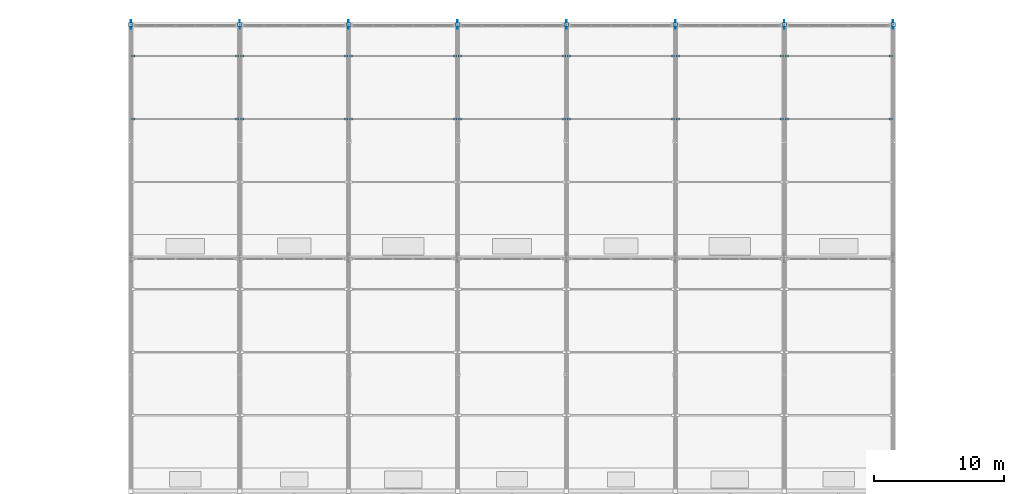
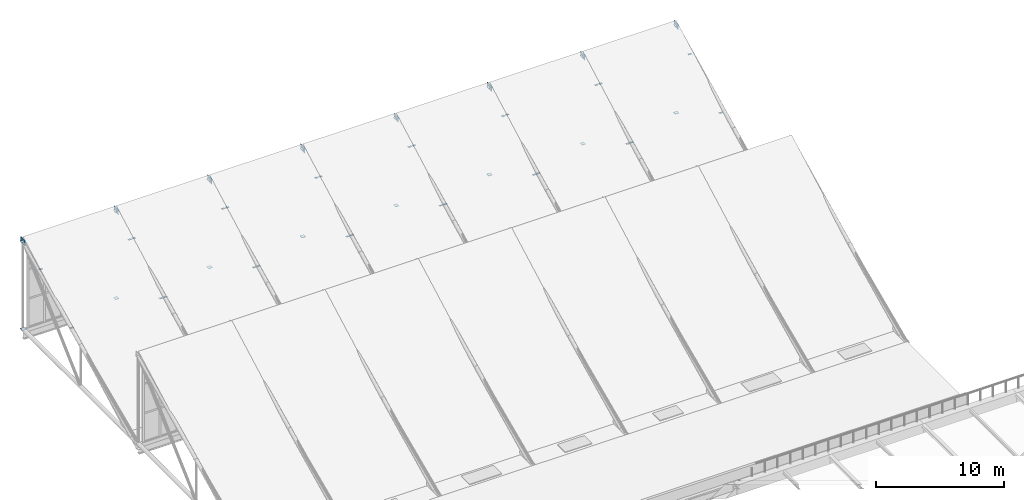
# One storey, part 36 of 38: 52 plates.
"""IFC4 building model written with IfcOpenShell, lengths in metres."""

from ifc_helpers import new_model, si_unit, direction, frame, origin, origin_2d, place, context, subcontext, project, spatial, rectangle, extrude, material, layer, layer_set, type_object, element, save


model = new_model("IFC4")

# Units and contexts
model_context = context("Model", 3, precision=1e-05, world=origin(), true_north=direction((0.0, 1.0)))
body_context = subcontext(model_context, "Body", "Model", "MODEL_VIEW")
ifc_project = project(units=[si_unit("LENGTHUNIT", "METRE"), si_unit("AREAUNIT", "SQUARE_METRE"), si_unit("VOLUMEUNIT", "CUBIC_METRE"), si_unit("PLANEANGLEUNIT", "RADIAN"), si_unit("MASSUNIT", "GRAM", prefix="KILO")], contexts=[model_context])

# Site, building, storey
site_placement = place(None, origin())
site = spatial("IfcSite", under=ifc_project, at=site_placement, CompositionType="ELEMENT")
building_placement = place(site_placement, origin())
building = spatial("IfcBuilding", under=site, at=building_placement, Name="Veltarok Museum of Natural Sciences", CompositionType="ELEMENT")
storey_placement = place(building_placement, frame((0.0, 0.0, 31.199951171875)))
storey = spatial("IfcBuildingStorey", under=building, at=storey_placement, Name="RF", CompositionType="ELEMENT", Elevation=31.199951171875)

# Plates
ifc_material = material(Name="Steel S355J2", Category="steel")
ifc_layer_1 = layer(ifc_material, 0.01611328125)
ifc_layer_set_1 = layer_set([ifc_layer_1], Name="Steel S355J2")
plate_type_1 = type_object("IfcPlateType", Name="Hollow End Closure Plate 260x170x16", PredefinedType="USERDEFINED", material=ifc_layer_set_1)
for number, where, z_axis, x_axis, name in (
    (1, (40.18408203125, 64.7099609375, -1.318359375), (0.0, 0.0, 1.0), (1.0, 0.0, 0.0), "End Cap Plate CP-180 304"),
    (2, (48.216064453125, 64.7099609375, -1.318359375), (0.0, 0.0, 1.0), (1.0, 0.0, 0.0), "End Cap Plate CP-180 305"),
    (3, (40.18408203125, 69.570068359375, 1.321533203125), (0.0, 0.0, 1.0), (1.0, 0.0, 0.0), "End Cap Plate CP-180 306"),
    (4, (48.216064453125, 69.570068359375, 1.321533203125), (0.0, 0.0, 1.0), (1.0, 0.0, 0.0), "End Cap Plate CP-180 307"),
    (5, (48.583984375, 64.7099609375, -1.318359375), (0.0, 0.0, 1.0), (1.0, 0.0, 0.0), "End Cap Plate CP-180 316"),
    (6, (56.615966796875, 64.7099609375, -1.318359375), (0.0, 0.0, 1.0), (1.0, 0.0, 0.0), "End Cap Plate CP-180 317"),
    (7, (48.583984375, 69.570068359375, 1.321533203125), (0.0, 0.0, 1.0), (1.0, 0.0, 0.0), "End Cap Plate CP-180 318"),
    (8, (56.615966796875, 69.570068359375, 1.321533203125), (0.0, 0.0, 1.0), (1.0, 0.0, 0.0), "End Cap Plate CP-180 319"),
    (9, (56.98388671875, 64.7099609375, -1.318359375), (0.0, 0.0, 1.0), (1.0, 0.0, 0.0), "End Cap Plate CP-180 328"),
    (10, (65.01611328125, 64.7099609375, -1.318359375), (0.0, 0.0, 1.0), (1.0, 0.0, 0.0), "End Cap Plate CP-180 329"),
    (11, (56.98388671875, 69.570068359375, 1.321533203125), (0.0, 0.0, 1.0), (1.0, 0.0, 0.0), "End Cap Plate CP-180 330"),
    (12, (65.01611328125, 69.570068359375, 1.321533203125), (0.0, 0.0, 1.0), (1.0, 0.0, 0.0), "End Cap Plate CP-180 331"),
    (13, (65.384033203125, 64.7099609375, -1.318359375), (0.0, 0.0, 1.0), (1.0, 0.0, 0.0), "End Cap Plate CP-180 340"),
    (14, (73.416015625, 64.7099609375, -1.318359375), (0.0, 0.0, 1.0), (1.0, 0.0, 0.0), "End Cap Plate CP-180 341"),
    (15, (65.384033203125, 69.570068359375, 1.321533203125), (0.0, 0.0, 1.0), (1.0, 0.0, 0.0), "End Cap Plate CP-180 342"),
    (16, (73.416015625, 69.570068359375, 1.321533203125), (0.0, 0.0, 1.0), (1.0, 0.0, 0.0), "End Cap Plate CP-180 343"),
    (17, (73.783935546875, 64.7099609375, -1.318359375), (0.0, 0.0, 1.0), (1.0, 0.0, 0.0), "End Cap Plate CP-180 352"),
    (18, (81.81591796875, 64.7099609375, -1.318359375), (0.0, 0.0, 1.0), (1.0, 0.0, 0.0), "End Cap Plate CP-180 353"),
    (19, (73.783935546875, 69.570068359375, 1.321533203125), (0.0, 0.0, 1.0), (1.0, 0.0, 0.0), "End Cap Plate CP-180 354"),
    (20, (81.81591796875, 69.570068359375, 1.321533203125), (0.0, 0.0, 1.0), (1.0, 0.0, 0.0), "End Cap Plate CP-180 355"),
    (21, (82.18408203125, 64.7099609375, -1.318359375), (0.0, 0.0, 1.0), (1.0, 0.0, 0.0), "End Cap Plate CP-180 364"),
    (22, (90.216064453125, 64.7099609375, -1.318359375), (0.0, 0.0, 1.0), (1.0, 0.0, 0.0), "End Cap Plate CP-180 365"),
    (23, (82.18408203125, 69.570068359375, 1.321533203125), (0.0, 0.0, 1.0), (1.0, 0.0, 0.0), "End Cap Plate CP-180 366"),
    (24, (90.216064453125, 69.570068359375, 1.321533203125), (0.0, 0.0, 1.0), (1.0, 0.0, 0.0), "End Cap Plate CP-180 367"),
    (25, (90.583984375, 64.7099609375, -1.318359375), (0.0, 0.0, 1.0), (1.0, 0.0, 0.0), "End Cap Plate CP-180 376"),
    (26, (98.615966796875, 64.7099609375, -1.318359375), (0.0, 0.0, 1.0), (1.0, 0.0, 0.0), "End Cap Plate CP-180 377"),
    (27, (90.583984375, 69.570068359375, 1.321533203125), (0.0, 0.0, 1.0), (1.0, 0.0, 0.0), "End Cap Plate CP-180 378"),
    (28, (98.615966796875, 69.570068359375, 1.321533203125), (0.0, 0.0, 1.0), (1.0, 0.0, 0.0), "End Cap Plate CP-180 379"),
):
    element("IfcPlate", number, at=place(storey_placement, frame(where, z_axis=z_axis, x_axis=x_axis)), inside=storey, type_object=plate_type_1, Name=name, ObjectType="END CAP PLATE", PredefinedType="USERDEFINED", context=body_context, shape_type="SweptSolid", body=[
        extrude(rectangle(XDim=0.260009765625, YDim=0.169921875, at=origin_2d()), origin(), (0.0, 0.0, 1.0), 0.01611328125),
    ])
ifc_layer_2 = layer(ifc_material, 0.02001953125)
ifc_layer_set_2 = layer_set([ifc_layer_2], Name="Steel S355J2")
plate_type_2 = type_object("IfcPlateType", Name="Hollow End Closure Plate D340x20", PredefinedType="USERDEFINED", material=ifc_layer_set_2)
for number, where, z_axis, x_axis, name in (
    (29, (40.0, 71.99609375, -5.81005859375), (0.0, 0.0, 1.0), (0.0, 1.0, 0.0), "End Cap Plate CP-324 215"),
    (30, (40.0, 71.996337890625, 2.538330078125), (0.0, 0.0, 1.0), (0.0, 1.0, 0.0), "End Cap Plate CP-324 218"),
    (31, (48.39990234375, 71.99609375, -5.81005859375), (0.0, 0.0, 1.0), (0.0, 1.0, 0.0), "End Cap Plate CP-324 226"),
    (32, (48.39990234375, 71.996337890625, 2.538330078125), (0.0, 0.0, 1.0), (0.0, 1.0, 0.0), "End Cap Plate CP-324 229"),
    (33, (56.800048828125, 71.99609375, -5.81005859375), (0.0, 0.0, 1.0), (0.0, 1.0, 0.0), "End Cap Plate CP-324 237"),
    (34, (56.800048828125, 71.996337890625, 2.538330078125), (0.0, 0.0, 1.0), (0.0, 1.0, 0.0), "End Cap Plate CP-324 240"),
    (35, (65.199951171875, 71.99609375, -5.81005859375), (0.0, 0.0, 1.0), (0.0, 1.0, 0.0), "End Cap Plate CP-324 248"),
    (36, (65.199951171875, 71.996337890625, 2.538330078125), (0.0, 0.0, 1.0), (0.0, 1.0, 0.0), "End Cap Plate CP-324 251"),
    (37, (73.60009765625, 71.99609375, -5.81005859375), (0.0, 0.0, 1.0), (0.0, 1.0, 0.0), "End Cap Plate CP-324 259"),
    (38, (73.60009765625, 71.996337890625, 2.538330078125), (0.0, 0.0, 1.0), (0.0, 1.0, 0.0), "End Cap Plate CP-324 262"),
    (39, (82.0, 71.99609375, -5.81005859375), (0.0, 0.0, 1.0), (0.0, 1.0, 0.0), "End Cap Plate CP-324 270"),
    (40, (82.0, 71.996337890625, 2.538330078125), (0.0, 0.0, 1.0), (0.0, 1.0, 0.0), "End Cap Plate CP-324 273"),
    (41, (90.39990234375, 71.99609375, -5.81005859375), (0.0, 0.0, 1.0), (0.0, 1.0, 0.0), "End Cap Plate CP-324 281"),
    (42, (90.39990234375, 71.996337890625, 2.538330078125), (0.0, 0.0, 1.0), (0.0, 1.0, 0.0), "End Cap Plate CP-324 284"),
    (43, (98.800048828125, 71.99609375, -5.81005859375), (0.0, 0.0, 1.0), (0.0, 1.0, 0.0), "End Cap Plate CP-324 292"),
    (44, (98.800048828125, 71.996337890625, 2.538330078125), (0.0, 0.0, 1.0), (0.0, 1.0, 0.0), "End Cap Plate CP-324 295"),
):
    element("IfcPlate", number, at=place(storey_placement, frame(where, z_axis=z_axis, x_axis=x_axis)), inside=storey, type_object=plate_type_2, Name=name, ObjectType="END CAP PLATE", PredefinedType="USERDEFINED", context=body_context, shape_type="SweptSolid", body=[
        extrude(rectangle(XDim=0.340087890625, YDim=0.340087890625, at=origin_2d()), origin(), (0.0, 0.0, 1.0), 0.02001953125),
    ])
ifc_layer_3 = layer(ifc_material, 0.02490234375)
ifc_layer_set_3 = layer_set([ifc_layer_3], Name="Steel S355J2")
plate_type_3 = type_object("IfcPlateType", Name="Sawtooth Truss Ridge Gusset Node Plate TN1", PredefinedType="USERDEFINED", material=ifc_layer_set_3)
for number, where, z_axis, x_axis, name in (
    (45, (40.0, 72.0, 2.2900390625), (0.0, 0.0, 1.0), (1.0, 0.0, 0.0), "Sawtooth Truss Ridge Node TN1 5 M2"),
    (46, (48.39990234375, 72.0, 2.2900390625), (0.0, 0.0, 1.0), (1.0, 0.0, 0.0), "Sawtooth Truss Ridge Node TN1 6 M2"),
    (47, (56.800048828125, 72.0, 2.2900390625), (0.0, 0.0, 1.0), (1.0, 0.0, 0.0), "Sawtooth Truss Ridge Node TN1 7 M2"),
    (48, (65.199951171875, 72.0, 2.2900390625), (0.0, 0.0, 1.0), (1.0, 0.0, 0.0), "Sawtooth Truss Ridge Node TN1 8 M2"),
    (49, (73.60009765625, 72.0, 2.2900390625), (0.0, 0.0, 1.0), (1.0, 0.0, 0.0), "Sawtooth Truss Ridge Node TN1 9 M2"),
    (50, (82.0, 72.0, 2.2900390625), (0.0, 0.0, 1.0), (1.0, 0.0, 0.0), "Sawtooth Truss Ridge Node TN1 10 M2"),
    (51, (90.39990234375, 72.0, 2.2900390625), (0.0, 0.0, 1.0), (1.0, 0.0, 0.0), "Sawtooth Truss Ridge Node TN1 11 M2"),
    (52, (98.800048828125, 72.0, 2.2900390625), (0.0, 0.0, 1.0), (1.0, 0.0, 0.0), "Sawtooth Truss Ridge Node TN1 12 M2"),
):
    element("IfcPlate", number, at=place(storey_placement, frame(where, z_axis=z_axis, x_axis=x_axis)), inside=storey, type_object=plate_type_3, Name=name, ObjectType="GUSSET PLATE", PredefinedType="USERDEFINED", context=body_context, shape_type="SweptSolid", body=[
        extrude(rectangle(XDim=0.02490234375, YDim=0.679931640625, at=origin_2d()), origin(), (0.0, 0.0, 1.0), 0.52001953125),
    ])

save(model, "model.ifc")
